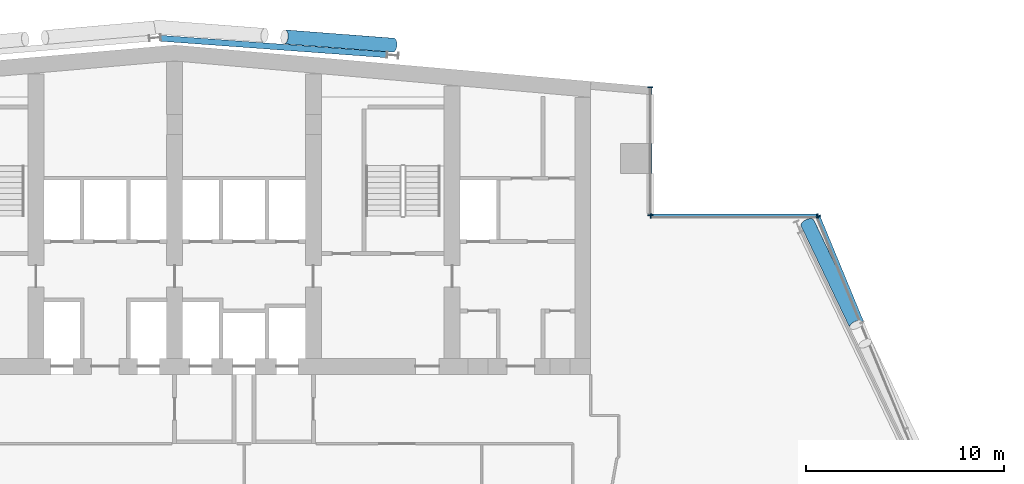
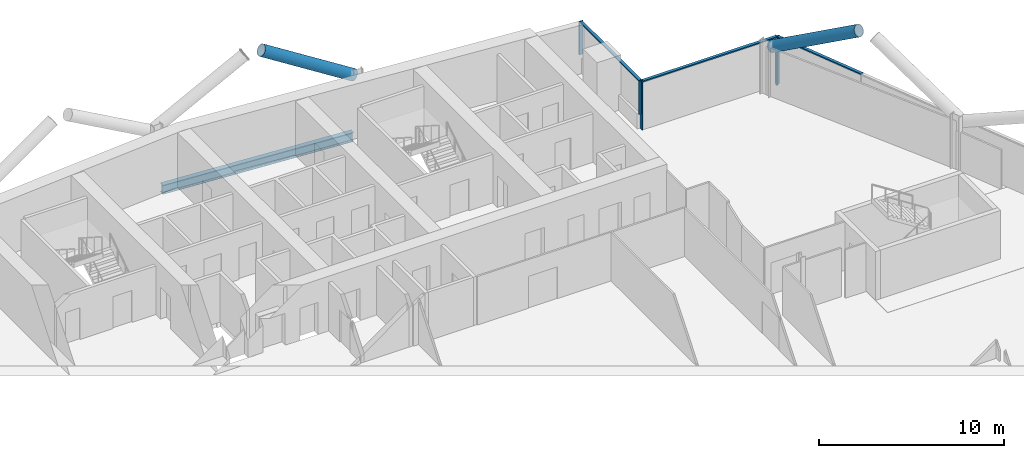
# One storey, part 10 of 26: 10 members, 1 beam, 3 elements without a shape of their own.
"""IFC4 building model written with IfcOpenShell, lengths in metres."""

from ifc_helpers import new_model, si_unit, direction, frame, origin, origin_2d, place, context, subcontext, project, spatial, rectangle, hollow_circle, i_section, extrude, material, material_profile, profile_set, type_object, element, aggregate, save


model = new_model("IFC4")

# Units and contexts
model_context = context("Model", 3, precision=1e-05, world=origin(), true_north=direction((0.0, 1.0)))
body_context = subcontext(model_context, "Body", "Model", "MODEL_VIEW")
ifc_project = project(units=[si_unit("LENGTHUNIT", "METRE"), si_unit("AREAUNIT", "SQUARE_METRE"), si_unit("VOLUMEUNIT", "CUBIC_METRE"), si_unit("PLANEANGLEUNIT", "RADIAN"), si_unit("MASSUNIT", "GRAM", prefix="KILO")], contexts=[model_context])

# Site, building, storey
site_placement = place(None, origin())
site = spatial("IfcSite", under=ifc_project, at=site_placement, CompositionType="ELEMENT")
building_placement = place(site_placement, origin())
building = spatial("IfcBuilding", under=site, at=building_placement, Name="Wharfspan Tower", CompositionType="ELEMENT")
storey_placement = place(building_placement, frame((0.0, 0.0, 184.300049)))
storey = spatial("IfcBuildingStorey", under=building, at=storey_placement, Name="L45", CompositionType="ELEMENT", Elevation=184.300049)

# Beam
ifc_material_1 = material(Name="Steel S355J2", Category="steel")
ifc_material_profile_1 = material_profile(ifc_material_1, i_section(OverallWidth=0.300049, OverallDepth=0.600098, WebThickness=0.015381, FlangeThickness=0.030029, FilletRadius=0.0271, at=origin_2d()))
ifc_profile_set_1 = profile_set([ifc_material_profile_1], Name="Steel S355J2")
beam_type = type_object("IfcBeamType", Name="Edge beam HEB 600", PredefinedType="SPANDREL", material=ifc_profile_set_1)
beam_placement = place(storey_placement, frame((36.299072, 50.965332, -0.699951), z_axis=(0.997353, -0.072713, 0.0), x_axis=(0.072713, 0.997353, 0.0)))
element("IfcBeam", 1, at=beam_placement, inside=storey, type_object=beam_type, Name="Edge beam L45 R.2 to R.3", PredefinedType="SPANDREL", context=body_context, shape_type="SweptSolid", body=[
    extrude(i_section(OverallWidth=0.300049, OverallDepth=0.600098, WebThickness=0.015381, FlangeThickness=0.030029, FilletRadius=0.0271, at=origin_2d()), origin(), (0.0, 0.0, 1.0), 11.436035),
])

# Curtain wall, member
ifc_material_2 = material(Name="Aluminium 6063-T6", Category="aluminium")
curtain_wall_type = type_object("IfcCurtainWallType", Name="CURTAIN WALL PROW AND END", PredefinedType="NOTDEFINED", material=ifc_material_2)
curtain_wall_1_placement = place(storey_placement, origin())
curtain_wall_1 = element("IfcCurtainWall", 2, at=curtain_wall_1_placement, inside=storey, type_object=curtain_wall_type, Name="Curtain wall E", PredefinedType="NOTDEFINED")
ifc_material_profile_2 = material_profile(ifc_material_2, rectangle(XDim=0.23999, YDim=0.060059, at=origin_2d()))
ifc_profile_set_2 = profile_set([ifc_material_profile_2], Name="Aluminium 6063-T6")
member_type_1 = type_object("IfcMemberType", Name="MULLION PROW AND END 60x240", PredefinedType="MULLION", material=ifc_profile_set_2)
member_1_placement = place(storey_placement, frame((69.488525, 41.972168, 0.0), z_axis=(0.0, 0.0, 1.0), x_axis=(-0.924325, -0.381602, 0.0)))
member_1 = element("IfcMember", 3, at=member_1_placement, type_object=member_type_1, Name="Curtain wall E mullion 8", PredefinedType="MULLION", context=body_context, shape_type="SweptSolid", body=[
    extrude(rectangle(XDim=0.23999, YDim=0.060059, at=origin_2d()), origin(), (0.0, 0.0, 1.0), 3.199951),
])

# Curtain wall, members
curtain_wall_2_placement = place(storey_placement, origin())
curtain_wall_2 = element("IfcCurtainWall", 4, at=curtain_wall_2_placement, inside=storey, type_object=curtain_wall_type, Name="Curtain wall NRE-H", PredefinedType="NOTDEFINED")
member_2_placement = place(storey_placement, frame((69.447021, 42.0, 0.0), z_axis=(0.0, 0.0, 1.0), x_axis=(0.0, -1.0, 0.0)))
member_2 = element("IfcMember", 5, at=member_2_placement, type_object=member_type_1, Name="Curtain wall NRE-H mullion 1", PredefinedType="MULLION", context=body_context, shape_type="SweptSolid", body=[
    extrude(rectangle(XDim=0.23999, YDim=0.060059, at=origin_2d()), origin(), (0.0, 0.0, 1.0), 3.199951),
])
member_3_placement = place(storey_placement, frame((61.030029, 42.0, 0.0), z_axis=(0.0, 0.0, 1.0), x_axis=(0.0, -1.0, 0.0)))
member_3 = element("IfcMember", 6, at=member_3_placement, type_object=member_type_1, Name="Curtain wall NRE-H mullion 2", PredefinedType="MULLION", context=body_context, shape_type="SweptSolid", body=[
    extrude(rectangle(XDim=0.23999, YDim=0.060059, at=origin_2d()), origin(), (0.0, 0.0, 1.0), 3.199951),
])

curtain_wall_3_placement = place(storey_placement, origin())
curtain_wall_3 = element("IfcCurtainWall", 7, at=curtain_wall_3_placement, inside=storey, type_object=curtain_wall_type, Name="Curtain wall NRE-V", PredefinedType="NOTDEFINED")
member_4_placement = place(storey_placement, frame((61.0, 42.030029, 1.0), z_axis=(0.0, 0.0, 1.0), x_axis=(-1.0, 0.0, 0.0)))
member_4 = element("IfcMember", 8, at=member_4_placement, type_object=member_type_1, Name="Curtain wall NRE-V mullion 1", PredefinedType="MULLION", context=body_context, shape_type="SweptSolid", body=[
    extrude(rectangle(XDim=0.23999, YDim=0.060059, at=origin_2d()), origin(), (0.0, 0.0, 1.0), 2.199951),
])
member_5_placement = place(storey_placement, frame((61.0, 48.494873, 1.0), z_axis=(0.0, 0.0, 1.0), x_axis=(-1.0, 0.0, 0.0)))
member_5 = element("IfcMember", 9, at=member_5_placement, type_object=member_type_1, Name="Curtain wall NRE-V mullion 2", PredefinedType="MULLION", context=body_context, shape_type="SweptSolid", body=[
    extrude(rectangle(XDim=0.23999, YDim=0.060059, at=origin_2d()), origin(), (0.0, 0.0, 1.0), 2.199951),
])

# Members
ifc_material_3 = material(Name="Steel S460NH", Category="steel")
ifc_material_profile_3 = material_profile(ifc_material_3, hollow_circle(Radius=0.355469, WallThickness=0.035889, at=origin_2d()))
ifc_profile_set_3 = profile_set([ifc_material_profile_3], Name="Steel S460NH")
member_type_2 = type_object("IfcMemberType", Name="Mega brace CHS 711x36", PredefinedType="BRACE", material=ifc_profile_set_3)
member_6_placement = place(storey_placement, frame((68.938721, 41.643066, 2.899902), z_axis=(0.374119, -0.780731, 0.500494), x_axis=(0.90181, 0.432137, -3e-06)))
element("IfcMember", 10, at=member_6_placement, inside=storey, type_object=member_type_2, Name="Mega brace E6 L46 part 3", PredefinedType="BRACE", context=body_context, shape_type="SweptSolid", body=[
    extrude(hollow_circle(Radius=0.355469, WallThickness=0.035889, at=origin_2d()), origin(), (0.0, 0.0, 1.0), 6.581787),
])
member_7_placement = place(storey_placement, frame((48.036865, 50.617676, 2.899902), z_axis=(-0.855596, 0.065362, 0.513502), x_axis=(-0.076171, -0.997095, 1e-06)))
element("IfcMember", 11, at=member_7_placement, inside=storey, type_object=member_type_2, Name="Mega brace N8 L46 part 3", PredefinedType="BRACE", context=body_context, shape_type="SweptSolid", body=[
    extrude(hollow_circle(Radius=0.355469, WallThickness=0.035889, at=origin_2d()), origin(), (0.0, 0.0, 1.0), 6.420898),
])

# Member
ifc_material_profile_4 = material_profile(ifc_material_2, rectangle(XDim=0.179932, YDim=0.080078, at=origin_2d()))
ifc_profile_set_4 = profile_set([ifc_material_profile_4], Name="Aluminium 6063-T6")
member_type_3 = type_object("IfcMemberType", Name="TRANSOM PROW AND END 80x180", PredefinedType="USERDEFINED", material=ifc_profile_set_4)
member_8_placement = place(storey_placement, frame((71.683105, 36.65625, 3.159912), z_axis=(-0.38158, 0.924336, 0.0), x_axis=(-0.924336, -0.38158, 0.0)))
member_8 = element("IfcMember", 12, at=member_8_placement, type_object=member_type_3, Name="Curtain wall E transom 7", ObjectType="TRANSOM", PredefinedType="USERDEFINED", context=body_context, shape_type="SweptSolid", body=[
    extrude(rectangle(XDim=0.179932, YDim=0.080078, at=origin_2d()), origin(), (0.0, 0.0, 1.0), 5.721191),
])

aggregate(curtain_wall_1, [member_1, member_8])

member_9_placement = place(storey_placement, frame((69.416992, 42.0, 3.159912), z_axis=(-1.0, 0.0, 0.0), x_axis=(0.0, -1.0, 0.0)))
member_9 = element("IfcMember", 13, at=member_9_placement, type_object=member_type_3, Name="Curtain wall NRE-H transom 1", ObjectType="TRANSOM", PredefinedType="USERDEFINED", context=body_context, shape_type="SweptSolid", body=[
    extrude(rectangle(XDim=0.179932, YDim=0.080078, at=origin_2d()), origin(), (0.0, 0.0, 1.0), 8.356934),
])

aggregate(curtain_wall_2, [member_2, member_3, member_9])

member_10_placement = place(storey_placement, frame((61.0, 42.060059, 3.159912), z_axis=(0.0, 1.0, 0.0), x_axis=(-1.0, 0.0, 0.0)))
member_10 = element("IfcMember", 14, at=member_10_placement, type_object=member_type_3, Name="Curtain wall NRE-V transom 1", ObjectType="TRANSOM", PredefinedType="USERDEFINED", context=body_context, shape_type="SweptSolid", body=[
    extrude(rectangle(XDim=0.179932, YDim=0.080078, at=origin_2d()), origin(), (0.0, 0.0, 1.0), 6.404785),
])

aggregate(curtain_wall_3, [member_4, member_5, member_10])

save(model, "model.ifc")
